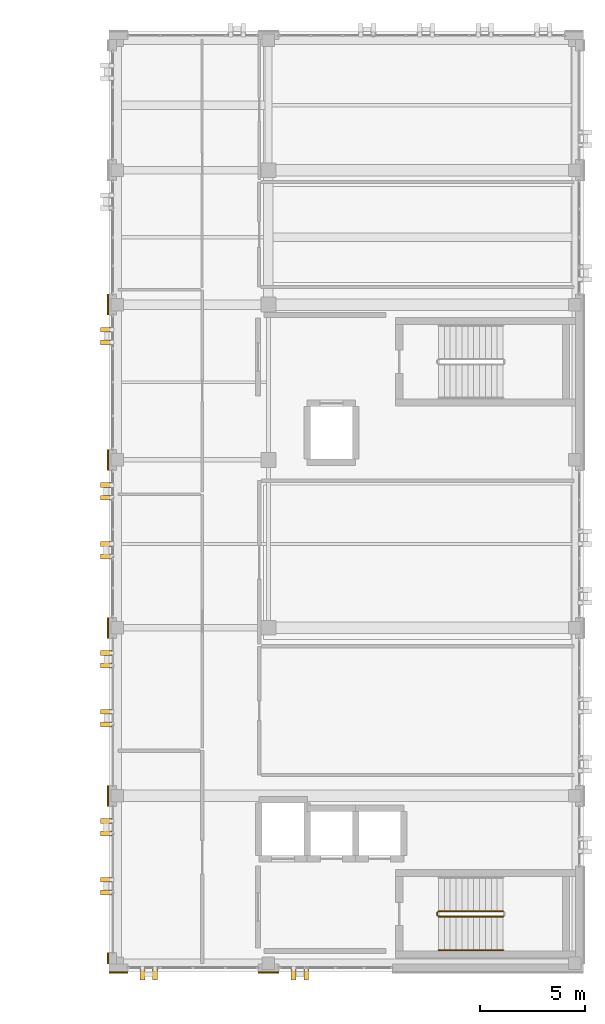
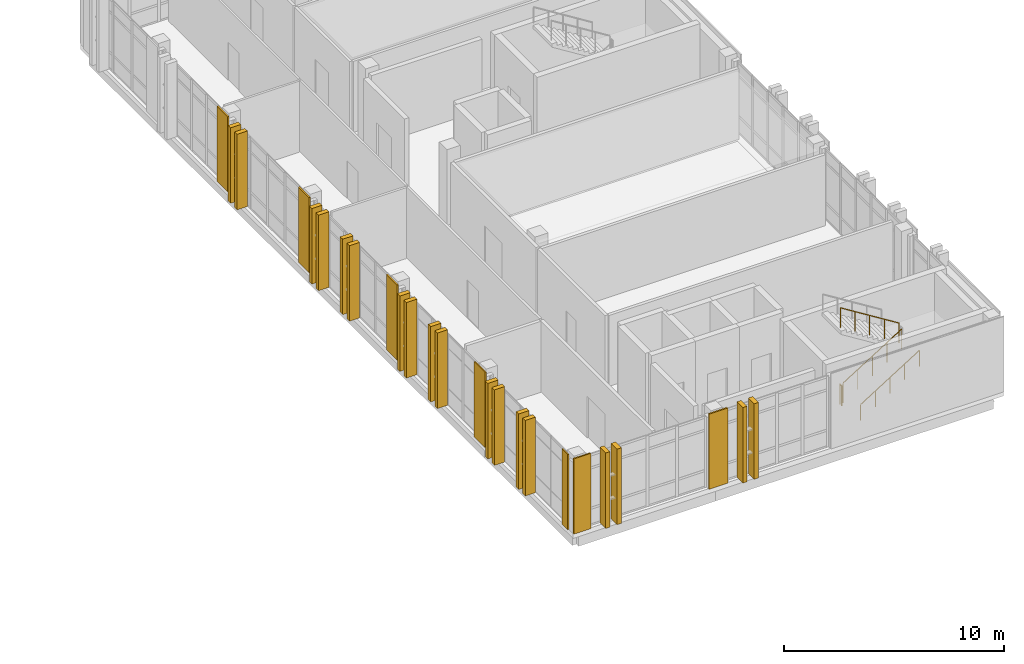
# One storey, part 71 of 77: 25 coverings, 4 railings.
"""IFC4 building model written with IfcOpenShell, lengths in metres."""

import ifcopenshell
import ifcopenshell.guid

model = None  # the IFC model being written
_history = None  # IfcOwnerHistory: only IFC2X3 demands one
_inside = {}  # id of a spatial element -> (the spatial element, [elements in it])
_under = {}  # id of a project, library or spatial element -> (it, [spatial elements below it])
_declared = {}  # id of a project -> (the project, [libraries it declares])
_typed = {}  # id of a type object -> (the type object, [elements of that type])
_made_of = {}  # id of a material, layer set ... -> (it, [elements and type objects made of it])


def new_model(schema):
    """Start an empty IFC model of exactly this schema.

    Asked for "IFC4X3", IfcOpenShell would pick the latest addendum, in which some entities
    have other attributes; the version numbers below select the first issue.
    IFC2X3 requires an IfcOwnerHistory on every rooted entity: one is made here for all.
    """
    global model, _history
    if schema == "IFC4X3":
        model = ifcopenshell.file(schema_version=(4, 3, 0, 0))
    else:
        model = ifcopenshell.file(schema=schema)
    _inside.clear()
    _under.clear()
    _declared.clear()
    _typed.clear()
    _made_of.clear()
    _history = None
    if model.schema == "IFC2X3":
        org = make("IfcOrganization", Name="unknown")
        user = make(
            "IfcPersonAndOrganization",
            ThePerson=make("IfcPerson", FamilyName="unknown"),
            TheOrganization=org,
        )
        app = make(
            "IfcApplication",
            ApplicationDeveloper=org,
            Version="unknown",
            ApplicationFullName="unknown",
            ApplicationIdentifier="unknown",
        )
        _history = make(
            "IfcOwnerHistory",
            OwningUser=user,
            OwningApplication=app,
            ChangeAction="ADDED",
            CreationDate=0,
        )
    return model


def make(cls, **values):
    """One entity of the class cls with the attributes given. An attribute that is None is left unset."""
    return model.create_entity(
        cls, **{name: value for name, value in values.items() if value is not None}
    )


def rooted(cls, **values):
    """An entity with a GlobalId (a new one), such as an element, a storey or a relation."""
    return make(cls, GlobalId=ifcopenshell.guid.new(), OwnerHistory=_history, **values)


def si_unit(unit_type, name, prefix=None):
    """IfcSIUnit, for example si_unit("LENGTHUNIT", "METRE", prefix="MILLI")."""
    return make("IfcSIUnit", UnitType=unit_type, Prefix=prefix, Name=name)


def assignment(units):
    """IfcUnitAssignment: the units of a project."""
    return None if units is None else make("IfcUnitAssignment", Units=units)


def point(xyz):
    """IfcCartesianPoint."""
    return None if xyz is None else make("IfcCartesianPoint", Coordinates=xyz)


def direction(xyz):
    """IfcDirection."""
    return None if xyz is None else make("IfcDirection", DirectionRatios=xyz)


def frame(location, z_axis=None, x_axis=None):
    """IfcAxis2Placement3D, a coordinate frame: its origin and axes. An axis left out is left unset."""
    return make(
        "IfcAxis2Placement3D",
        Location=point(location),
        Axis=direction(z_axis),
        RefDirection=direction(x_axis),
    )


def frame_2d(location, x_axis=None):
    """IfcAxis2Placement2D, a coordinate frame in the plane: its origin and x axis."""
    return make(
        "IfcAxis2Placement2D", Location=point(location), RefDirection=direction(x_axis)
    )


def origin():
    """The frame at (0, 0, 0) with its axes left unset."""
    return frame((0.0, 0.0, 0.0))


def origin_2d():
    """The frame at (0, 0) in the plane with its x axis left unset."""
    return frame_2d((0.0, 0.0))


def place(relative_to, where):
    """IfcLocalPlacement: puts the frame where relative to a parent placement (None: the world)."""
    return make(
        "IfcLocalPlacement", PlacementRelTo=relative_to, RelativePlacement=where
    )


def context(
    kind, dimensions, precision=None, world=None, true_north=None, identifier=None
):
    """IfcGeometricRepresentationContext, for example the 3D "Model" context."""
    return make(
        "IfcGeometricRepresentationContext",
        ContextIdentifier=identifier,
        ContextType=kind,
        CoordinateSpaceDimension=dimensions,
        Precision=precision,
        WorldCoordinateSystem=world,
        TrueNorth=true_north,
    )


def subcontext(parent, identifier, kind, view, scale=None):
    """IfcGeometricRepresentationSubContext, for example "Body" below "Model"."""
    return make(
        "IfcGeometricRepresentationSubContext",
        ContextIdentifier=identifier,
        ContextType=kind,
        ParentContext=parent,
        TargetScale=scale,
        TargetView=view,
    )


def project(units=None, contexts=None):
    """IfcProject with its units and contexts."""
    return rooted(
        "IfcProject",
        Name="project",
        RepresentationContexts=contexts,
        UnitsInContext=assignment(units),
    )


def spatial(cls, under=None, at=None, **own):
    """A site, building, storey or space (cls), placed at a placement, below another one or the project."""
    s = rooted(cls, ObjectPlacement=at, **own)
    if under is not None:
        _under.setdefault(under.id(), (under, []))[1].append(s)
    return s


def profile(cls, at=None, kind="AREA", **sizes):
    """A parametric profile (cls). Its sizes go by their IFC names, for example OverallWidth=200.0."""
    return make(cls, ProfileType=kind, Position=at, **sizes)


def rectangle(**sizes):
    """IfcRectangleProfileDef."""
    return profile("IfcRectangleProfileDef", **sizes)


def circle(**sizes):
    """IfcCircleProfileDef."""
    return profile("IfcCircleProfileDef", **sizes)


def extrude(swept, where, along, depth):
    """IfcExtrudedAreaSolid: the profile swept, set in the frame where, extruded along a direction by depth."""
    return make(
        "IfcExtrudedAreaSolid",
        SweptArea=swept,
        Position=where,
        ExtrudedDirection=direction(along),
        Depth=depth,
    )


def shape(context_of_items, identifier, shape_type, items):
    """IfcShapeRepresentation: the items that make up one representation, for example the "Body"."""
    return make(
        "IfcShapeRepresentation",
        ContextOfItems=context_of_items,
        RepresentationIdentifier=identifier,
        RepresentationType=shape_type,
        Items=items,
    )


def material(Name=None, Category=None):
    """IfcMaterial."""
    return make("IfcMaterial", Name=Name, Category=Category)


def layer(
    of_material, thickness, ventilated=None, Name=None, Category=None, Priority=None
):
    """IfcMaterialLayer: one layer of a wall or slab, of a material (None: an air gap)."""
    return make(
        "IfcMaterialLayer",
        Material=of_material,
        LayerThickness=thickness,
        IsVentilated=ventilated,
        Name=Name,
        Category=Category,
        Priority=Priority,
    )


def layer_set(layers, Name=None):
    """IfcMaterialLayerSet."""
    return make("IfcMaterialLayerSet", MaterialLayers=layers, LayerSetName=Name)


def made_of(thing, what):
    """Note that an element or type object is made of a material, layer set ...; save() writes the relation."""
    if what is not None:
        _made_of.setdefault(what.id(), (what, []))[1].append(thing)
    return thing


def type_object(cls, material=None, **own):
    """A type object (cls), such as IfcWallType, which elements share."""
    return made_of(rooted(cls, **own), material)


def element(
    cls,
    number,
    at=None,
    inside=None,
    cuts=None,
    type_object=None,
    material=None,
    context=None,
    identifier="Body",
    shape_type=None,
    held_by="IfcProductDefinitionShape",
    body=None,
    shapes=None,
    **own,
):
    """One element of the class cls, such as IfcWall. Its Tag is "e" and its number.

    at: its placement. inside: the storey or other place that contains it. cuts: it is an
    opening in that element (IfcRelVoidsElement). A single representation is given by context,
    identifier, shape_type and body (its items); several are given by shapes. held_by: the class
    of the entity that holds the representations. save() writes the other relations.
    """
    e = rooted(cls, Tag="e%d" % number, ObjectPlacement=at, **own)
    if body is not None:
        shapes = [shape(context, identifier, shape_type, body)]
    if shapes is not None:
        e.Representation = make(held_by, Representations=shapes)
    if inside is not None:
        _inside.setdefault(inside.id(), (inside, []))[1].append(e)
    if cuts is not None:
        rooted(
            "IfcRelVoidsElement", RelatingBuildingElement=cuts, RelatedOpeningElement=e
        )
    if type_object is not None:
        _typed.setdefault(type_object.id(), (type_object, []))[1].append(e)
    return made_of(e, material)


def aggregate(whole, parts):
    """IfcRelAggregates: a whole, such as a stair, and the parts it consists of."""
    return rooted("IfcRelAggregates", RelatingObject=whole, RelatedObjects=parts)


def save(model, path):
    """Write the relations noted so far, then the file.

    IfcRelAggregates (storeys below a building ...), IfcRelContainedInSpatialStructure (elements
    in a storey), IfcRelDefinesByType, IfcRelAssociatesMaterial and IfcRelDeclares: one each for
    every whole, place, type object, material and project.
    """
    for whole, parts in _under.values():
        aggregate(whole, parts)
    for where, things in _inside.values():
        rooted(
            "IfcRelContainedInSpatialStructure",
            RelatedElements=things,
            RelatingStructure=where,
        )
    for kind, things in _typed.values():
        rooted("IfcRelDefinesByType", RelatedObjects=things, RelatingType=kind)
    for what, things in _made_of.values():
        rooted("IfcRelAssociatesMaterial", RelatedObjects=things, RelatingMaterial=what)
    for by, libraries in _declared.values():
        rooted("IfcRelDeclares", RelatingContext=by, RelatedDefinitions=libraries)
    model.write(path)


model = new_model("IFC4")

# Units and contexts
model_context = context("Model", 3, precision=1e-05, world=origin(), true_north=direction((0.0, 1.0)))
body_context = subcontext(model_context, "Body", "Model", "MODEL_VIEW")
ifc_project = project(units=[si_unit("LENGTHUNIT", "METRE"), si_unit("AREAUNIT", "SQUARE_METRE"), si_unit("VOLUMEUNIT", "CUBIC_METRE"), si_unit("PLANEANGLEUNIT", "RADIAN"), si_unit("MASSUNIT", "GRAM", prefix="KILO")], contexts=[model_context])

# Site, building, storey
site_placement = place(None, origin())
site = spatial("IfcSite", under=ifc_project, at=site_placement, CompositionType="ELEMENT")
building_placement = place(site_placement, origin())
building = spatial("IfcBuilding", under=site, at=building_placement, Name="Qalavern Law Courts", CompositionType="ELEMENT")
storey_placement = place(building_placement, frame((0.0, 0.0, 27.0)))
storey = spatial("IfcBuildingStorey", under=building, at=storey_placement, Name="L06", CompositionType="ELEMENT", Elevation=27.0)

# Coverings
ifc_material_1 = material(Name="Precast concrete C40/50", Category="concrete")
ifc_layer_1 = layer(ifc_material_1, 0.22998046875)
ifc_layer_set_1 = layer_set([ifc_layer_1], Name="Precast concrete C40/50")
covering_type_1 = type_object("IfcCoveringType", Name="ENV-BLD-2", PredefinedType="CLADDING", material=ifc_layer_set_1)
for number, where, z_axis, x_axis, name in (
    (1, (85.800048828125, 40.89501953125, 0.005126953125), (0.0, 0.0, 1.0), (0.0, -1.0, 0.0), "Absheron stone facade blade 0759"),
    (2, (86.39990234375, 40.89501953125, 0.005126953125), (0.0, 0.0, 1.0), (0.0, -1.0, 0.0), "Absheron stone facade blade 0760"),
    (3, (93.0, 40.89501953125, 0.005126953125), (0.0, 0.0, 1.0), (0.0, -1.0, 0.0), "Absheron stone facade blade 0761"),
    (4, (93.60009765625, 40.89501953125, 0.005126953125), (0.0, 0.0, 1.0), (0.0, -1.0, 0.0), "Absheron stone facade blade 0762"),
    (5, (84.074951171875, 71.60009765625, 0.005126953125), (0.0, 0.0, 1.0), (-1.0, 0.0, 0.0), "Absheron stone facade blade 0791"),
    (6, (84.074951171875, 71.0, 0.005126953125), (0.0, 0.0, 1.0), (-1.0, 0.0, 0.0), "Absheron stone facade blade 0792"),
    (7, (84.074951171875, 64.199951171875, 0.005126953125), (0.0, 0.0, 1.0), (-1.0, 0.0, 0.0), "Absheron stone facade blade 0793"),
    (8, (84.074951171875, 63.60009765625, 0.005126953125), (0.0, 0.0, 1.0), (-1.0, 0.0, 0.0), "Absheron stone facade blade 0794"),
    (9, (84.074951171875, 61.39990234375, 0.005126953125), (0.0, 0.0, 1.0), (-1.0, 0.0, 0.0), "Absheron stone facade blade 0795"),
    (10, (84.074951171875, 60.800048828125, 0.005126953125), (0.0, 0.0, 1.0), (-1.0, 0.0, 0.0), "Absheron stone facade blade 0796"),
    (11, (84.074951171875, 56.199951171875, 0.005126953125), (0.0, 0.0, 1.0), (-1.0, 0.0, 0.0), "Absheron stone facade blade 0797"),
    (12, (84.074951171875, 55.60009765625, 0.005126953125), (0.0, 0.0, 1.0), (-1.0, 0.0, 0.0), "Absheron stone facade blade 0798"),
    (13, (84.074951171875, 53.39990234375, 0.005126953125), (0.0, 0.0, 1.0), (-1.0, 0.0, 0.0), "Absheron stone facade blade 0799"),
    (14, (84.074951171875, 52.800048828125, 0.005126953125), (0.0, 0.0, 1.0), (-1.0, 0.0, 0.0), "Absheron stone facade blade 0800"),
    (15, (84.074951171875, 48.199951171875, 0.005126953125), (0.0, 0.0, 1.0), (-1.0, 0.0, 0.0), "Absheron stone facade blade 0801"),
    (16, (84.074951171875, 47.60009765625, 0.005126953125), (0.0, 0.0, 1.0), (-1.0, 0.0, 0.0), "Absheron stone facade blade 0802"),
    (17, (84.074951171875, 45.39990234375, 0.005126953125), (0.0, 0.0, 1.0), (-1.0, 0.0, 0.0), "Absheron stone facade blade 0803"),
    (18, (84.074951171875, 44.800048828125, 0.005126953125), (0.0, 0.0, 1.0), (-1.0, 0.0, 0.0), "Absheron stone facade blade 0804"),
):
    element("IfcCovering", number, at=place(storey_placement, frame(where, z_axis=z_axis, x_axis=x_axis)), inside=storey, type_object=covering_type_1, Name=name, PredefinedType="CLADDING", context=body_context, shape_type="SweptSolid", body=[
        extrude(rectangle(XDim=0.5400390625, YDim=0.22998046875, at=origin_2d()), origin(), (0.0, 0.0, 1.0), 4.18994140625),
    ])
ifc_layer_2 = layer(ifc_material_1, 0.072021484375)
ifc_layer_set_2 = layer_set([ifc_layer_2], Name="Precast concrete C40/50")
covering_type_2 = type_object("IfcCoveringType", Name="ENV-CLD-2", PredefinedType="CLADDING", material=ifc_layer_set_2)
covering_1_placement = place(storey_placement, frame((84.64990234375, 40.987060546875, 0.01025390625), z_axis=(0.0, 0.0, 1.0), x_axis=(1.0, 0.0, 0.0)))
element("IfcCovering", 19, at=covering_1_placement, inside=storey, type_object=covering_type_2, Name="V4 Absheron limestone pier facing L06 south 1", PredefinedType="CLADDING", context=body_context, shape_type="SweptSolid", body=[
    extrude(rectangle(XDim=0.8798828125, YDim=0.072021484375, at=origin_2d()), origin(), (0.0, 0.0, 1.0), 4.179931640625),
])
for number, where, z_axis, x_axis, name in (
    (20, (91.800048828125, 40.987060546875, 0.01025390625), (0.0, 0.0, 1.0), (1.0, 0.0, 0.0), "V4 Absheron limestone pier facing L06 south 2"),
    (21, (84.1669921875, 72.800048828125, 0.01025390625), (0.0, 0.0, 1.0), (0.0, -1.0, 0.0), "V4 Absheron limestone pier facing L06 west 3"),
    (22, (84.1669921875, 65.39990234375, 0.01025390625), (0.0, 0.0, 1.0), (0.0, -1.0, 0.0), "V4 Absheron limestone pier facing L06 west 4"),
    (23, (84.1669921875, 57.39990234375, 0.01025390625), (0.0, 0.0, 1.0), (0.0, -1.0, 0.0), "V4 Absheron limestone pier facing L06 west 5"),
    (24, (84.1669921875, 49.39990234375, 0.01025390625), (0.0, 0.0, 1.0), (0.0, -1.0, 0.0), "V4 Absheron limestone pier facing L06 west 6"),
):
    element("IfcCovering", number, at=place(storey_placement, frame(where, z_axis=z_axis, x_axis=x_axis)), inside=storey, type_object=covering_type_2, Name=name, PredefinedType="CLADDING", context=body_context, shape_type="SweptSolid", body=[
        extrude(rectangle(XDim=0.97998046875, YDim=0.072021484375, at=origin_2d()), origin(), (0.0, 0.0, 1.0), 4.179931640625),
    ])
covering_2_placement = place(storey_placement, frame((84.1669921875, 41.659912109375, 0.01025390625), z_axis=(0.0, 0.0, 1.0), x_axis=(0.0, -1.0, 0.0)))
element("IfcCovering", 25, at=covering_2_placement, inside=storey, type_object=covering_type_2, Name="V4 Absheron limestone pier facing L06 west 7", PredefinedType="CLADDING", context=body_context, shape_type="SweptSolid", body=[
    extrude(rectangle(XDim=0.530029296875, YDim=0.072021484375, at=origin_2d()), origin(), (0.0, 0.0, 1.0), 4.179931640625),
])

# Railings
ifc_material_2 = material(Name="Steel S355", Category="steel")
railing_type_1 = type_object("IfcRailingType", Name="INT-GUARD-1120", PredefinedType="BALUSTRADE", material=ifc_material_2)
railing_1_placement = place(storey_placement, frame((99.89990234375, 43.64990234375, 0.175048828125)))
element("IfcRailing", 26, at=railing_1_placement, inside=storey, type_object=railing_type_1, Name="L06 ST-K1A stair guard 1", PredefinedType="BALUSTRADE", context=body_context, shape_type="SweptSolid", body=[
    extrude(circle(Radius=0.02392578125, at=origin_2d()), frame((0.0, 0.0, 1.09619140625), z_axis=(0.847998304005, 0.0, 0.529998940003), x_axis=(0.0, 1.0, 0.0)), (0.0, 0.0, 1.0), 3.632080078125),
    extrude(circle(Radius=0.02099609375, at=origin_2d()), origin(), (0.0, 0.0, 1.0), 1.072021484375),
    extrude(circle(Radius=0.02099609375, at=origin_2d()), frame((0.77001953125, 0.0, 0.481201171875)), (0.0, 0.0, 1.0), 1.072021484375),
    extrude(circle(Radius=0.02099609375, at=origin_2d()), frame((1.5400390625, 0.0, 0.96240234375)), (0.0, 0.0, 1.0), 1.072021484375),
    extrude(circle(Radius=0.02099609375, at=origin_2d()), frame((2.31005859375, 0.0, 1.44384765625)), (0.0, 0.0, 1.0), 1.072021484375),
    extrude(circle(Radius=0.02099609375, at=origin_2d()), frame((3.080078125, 0.0, 1.925048828125)), (0.0, 0.0, 1.0), 1.072021484375),
])
railing_2_placement = place(storey_placement, frame((102.97998046875, 43.89990234375, 2.27490234375)))
element("IfcRailing", 27, at=railing_2_placement, inside=storey, type_object=railing_type_1, Name="L06 ST-K1A stair guard 3", PredefinedType="BALUSTRADE", context=body_context, shape_type="SweptSolid", body=[
    extrude(circle(Radius=0.02392578125, at=origin_2d()), frame((0.0, 0.0, 1.09619140625), z_axis=(-0.847998304005, 0.0, 0.529998940003), x_axis=(0.0, -1.0, 0.0)), (0.0, 0.0, 1.0), 3.632080078125),
    extrude(circle(Radius=0.02099609375, at=origin_2d()), origin(), (0.0, 0.0, 1.0), 1.072021484375),
    extrude(circle(Radius=0.02099609375, at=origin_2d()), frame((-0.77001953125, 0.0, 0.481201171875)), (0.0, 0.0, 1.0), 1.072021484375),
    extrude(circle(Radius=0.02099609375, at=origin_2d()), frame((-1.5400390625, 0.0, 0.96240234375)), (0.0, 0.0, 1.0), 1.072021484375),
    extrude(circle(Radius=0.02099609375, at=origin_2d()), frame((-2.31005859375, 0.0, 1.44384765625)), (0.0, 0.0, 1.0), 1.072021484375),
    extrude(circle(Radius=0.02099609375, at=origin_2d()), frame((-3.080078125, 0.0, 1.925048828125)), (0.0, 0.0, 1.0), 1.072021484375),
])
railing_3_placement = place(storey_placement, frame((99.85009765625, 43.699951171875, 0.0)))
element("IfcRailing", 28, at=railing_3_placement, inside=storey, type_object=railing_type_1, Name="L06 ST-K1A stair guard 4", PredefinedType="BALUSTRADE", context=body_context, shape_type="SweptSolid", body=[
    extrude(circle(Radius=0.02392578125, at=origin_2d()), frame((0.0, 0.0, 1.09619140625), z_axis=(0.0, 1.0, 0.0), x_axis=(-1.0, 0.0, 0.0)), (0.0, 0.0, 1.0), 0.150146484375),
    extrude(circle(Radius=0.02099609375, at=origin_2d()), origin(), (0.0, 0.0, 1.0), 1.072021484375),
    extrude(circle(Radius=0.02099609375, at=origin_2d()), frame((0.0, 0.150146484375, 0.0)), (0.0, 0.0, 1.0), 1.072021484375),
])
railing_type_2 = type_object("IfcRailingType", Name="INT-HRAIL-920", PredefinedType="HANDRAIL", material=ifc_material_2)
railing_4_placement = place(storey_placement, frame((99.89990234375, 42.050048828125, 0.175048828125)))
element("IfcRailing", 29, at=railing_4_placement, inside=storey, type_object=railing_type_2, Name="L06 ST-K1A stair handrail 1", PredefinedType="HANDRAIL", context=body_context, shape_type="SweptSolid", body=[
    extrude(circle(Radius=0.02392578125, at=origin_2d()), frame((0.0, 0.0, 0.8759765625), z_axis=(0.847998304005, 0.0, 0.529998940003), x_axis=(0.0, 1.0, 0.0)), (0.0, 0.0, 1.0), 3.632080078125),
    extrude(circle(Radius=0.02099609375, at=origin_2d()), origin(), (0.0, 0.0, 1.0), 0.851806640625),
    extrude(circle(Radius=0.02099609375, at=origin_2d()), frame((0.77001953125, 0.0, 0.481201171875)), (0.0, 0.0, 1.0), 0.851806640625),
    extrude(circle(Radius=0.02099609375, at=origin_2d()), frame((1.5400390625, 0.0, 0.96240234375)), (0.0, 0.0, 1.0), 0.851806640625),
    extrude(circle(Radius=0.02099609375, at=origin_2d()), frame((2.31005859375, 0.0, 1.44384765625)), (0.0, 0.0, 1.0), 0.851806640625),
    extrude(circle(Radius=0.02099609375, at=origin_2d()), frame((3.080078125, 0.0, 1.925048828125)), (0.0, 0.0, 1.0), 0.851806640625),
])

save(model, "model.ifc")
